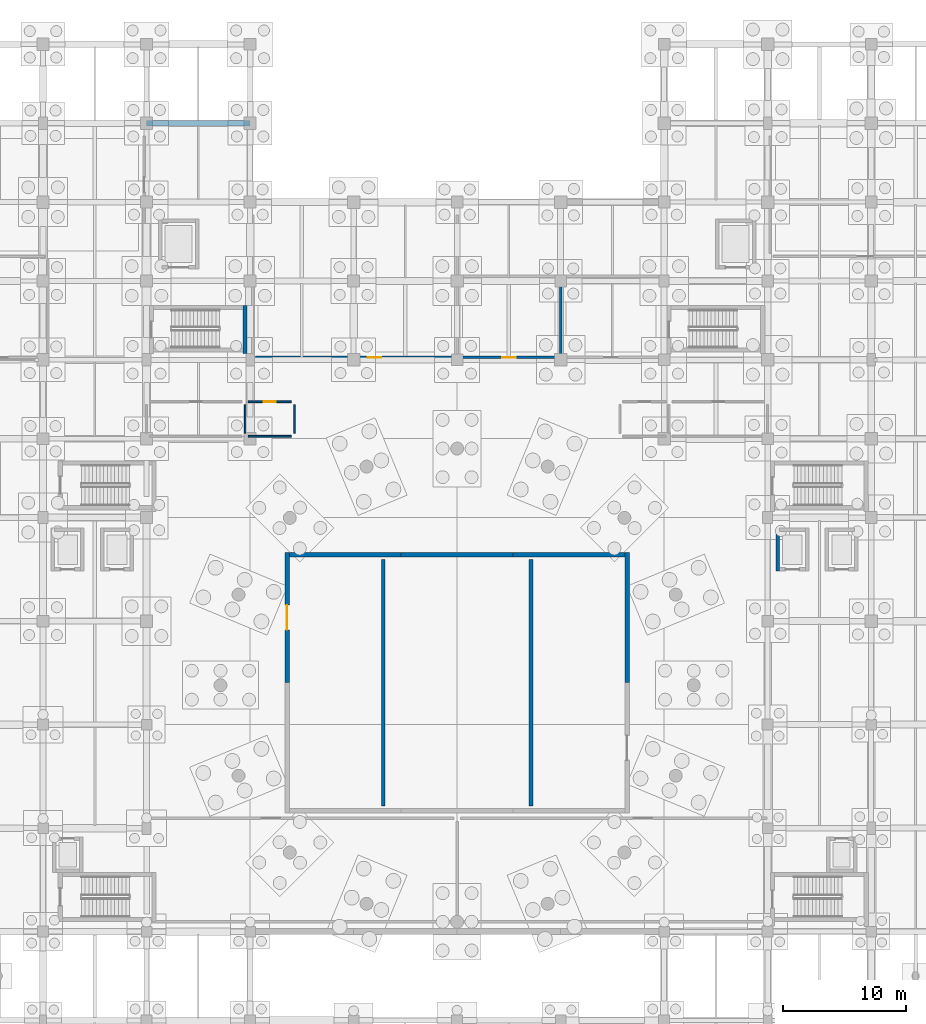
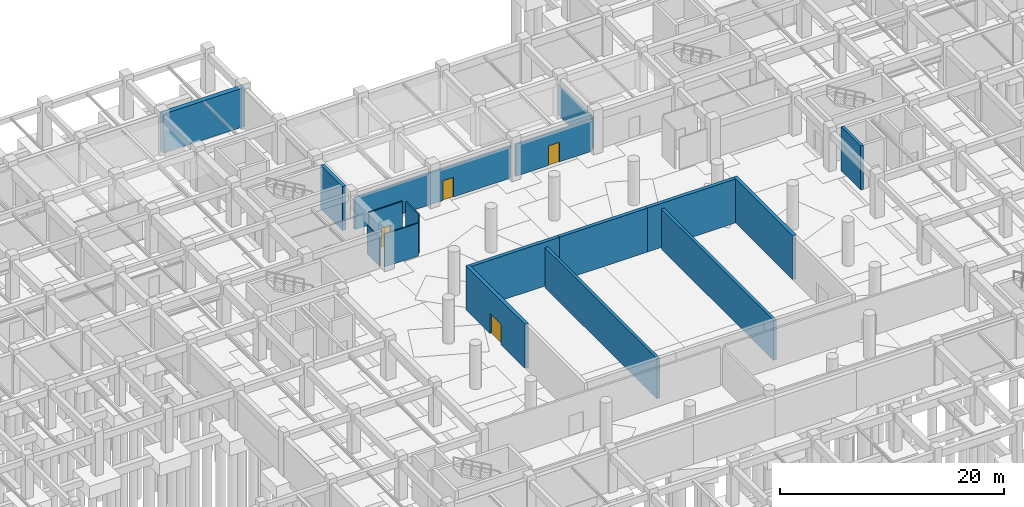
# One storey, part 33 of 44: 17 walls, 4 doors, 4 openings.
"""IFC4 building model written with IfcOpenShell, lengths in metres."""

from ifc_helpers import new_model, si_unit, direction, frame, frame_2d, origin, place, context, subcontext, project, spatial, rectangle, extrude, material, layer, layer_set, type_object, element, fill, save


model = new_model("IFC4")

# Units and contexts
model_context = context("Model", 3, precision=1e-05, world=origin(), true_north=direction((0.0, 1.0)))
body_context = subcontext(model_context, "Body", "Model", "MODEL_VIEW")
ifc_project = project(units=[si_unit("LENGTHUNIT", "METRE"), si_unit("AREAUNIT", "SQUARE_METRE"), si_unit("VOLUMEUNIT", "CUBIC_METRE"), si_unit("PLANEANGLEUNIT", "RADIAN"), si_unit("MASSUNIT", "GRAM", prefix="KILO")], contexts=[model_context])

# Site, building, storey
site_placement = place(None, origin())
site = spatial("IfcSite", under=ifc_project, at=site_placement, CompositionType="ELEMENT")
building_placement = place(site_placement, origin())
building = spatial("IfcBuilding", under=site, at=building_placement, Name="Korsvaeld Concert Hall", CompositionType="ELEMENT")
storey_placement = place(building_placement, frame((0.0, 0.0, -4.800048828125)))
storey = spatial("IfcBuildingStorey", under=building, at=storey_placement, Name="B1", CompositionType="ELEMENT", Elevation=-4.800048828125)

# Walls
ifc_material_1 = material(Name="Concrete C35/45", Category="concrete")
ifc_layer_1 = layer(ifc_material_1, 0.47998046875)
ifc_layer_set_1 = layer_set([ifc_layer_1], Name="Concrete C35/45")
wall_type_1 = type_object("IfcWallType", Name="WL-B1-RET-480", PredefinedType="SOLIDWALL", material=ifc_layer_set_1)
wall_1_placement = place(storey_placement, frame((58.800048828125, 108.800048828125, 0.0), z_axis=(0.0, 0.0, 1.0), x_axis=(1.0, 0.0, 0.0)))
element("IfcWall", 1, at=wall_1_placement, inside=storey, type_object=wall_type_1, Name="Exterior sandstone wall B1-028", PredefinedType="SOLIDWALL", context=body_context, shape_type="SweptSolid", body=[
    extrude(rectangle(XDim=8.39990234375, YDim=0.47998046875, at=frame_2d((4.199951171875, 0.0))), origin(), (0.0, 0.0, 1.0), 4.25),
])
ifc_material_2 = material(Name="Concrete C40/50", Category="concrete")
ifc_layer_2 = layer(ifc_material_2, 0.340087890625)
ifc_layer_set_2 = layer_set([ifc_layer_2], Name="Concrete C40/50")
wall_type_2 = type_object("IfcWallType", Name="WL-CORE-340", PredefinedType="SHEAR", material=ifc_layer_set_2)
wall_2_placement = place(storey_placement, frame((66.800048828125, 90.10009765625, 0.0), z_axis=(0.0, 0.0, 1.0), x_axis=(0.0, 1.0, 0.0)))
element("IfcWall", 2, at=wall_2_placement, inside=storey, type_object=wall_type_2, Name="Core K5 shear wall B1 E", PredefinedType="SHEAR", context=body_context, shape_type="SweptSolid", body=[
    extrude(rectangle(XDim=3.909912109375, YDim=0.340087890625, at=frame_2d((1.955078125, 0.0))), origin(), (0.0, 0.0, 1.0), 4.800048828125),
])

# Wall, opening, door
ifc_material_3 = material(Name="Double acoustic gypsum fire compartment wall")
ifc_layer_3 = layer(ifc_material_3, 0.199951171875)
ifc_layer_set_3 = layer_set([ifc_layer_3], Name="Double acoustic gypsum fire compartment wall")
wall_type_3 = type_object("IfcWallType", Name="WL-FIRE-200", PredefinedType="PARTITIONING", material=ifc_layer_set_3)
wall_3_placement = place(storey_placement, frame((67.659912109375, 89.800048828125, 0.0), z_axis=(0.0, 0.0, 1.0), x_axis=(1.0, 0.0, 0.0)))
wall_3 = element("IfcWall", 3, at=wall_3_placement, inside=storey, type_object=wall_type_3, Name="Interior partition B1-08 S", PredefinedType="PARTITIONING", context=body_context, shape_type="SweptSolid", body=[
    extrude(rectangle(XDim=16.080078125, YDim=0.199951171875, at=frame_2d((8.0400390625, 0.0))), origin(), (0.0, 0.0, 1.0), 3.47509765625),
])
opening_1_placement = place(wall_3_placement, frame((9.090087890625, 0.0, 0.0)))
opening_1 = element("IfcOpeningElement", 4, at=opening_1_placement, cuts=wall_3, Name="Opening FD-05", PredefinedType="OPENING", context=body_context, shape_type="SweptSolid", body=[
    extrude(rectangle(XDim=1.10009765625, YDim=2.14990234375, at=frame_2d((0.550048828125, 1.074951171875))), frame((0.0, 0.10986328125, 0.0), z_axis=(0.0, -1.0, 0.0), x_axis=(1.0, 0.0, 0.0)), (0.0, 0.0, 1.0), 0.219970703125),
])
ifc_material_4 = material(Name="Oak fire-compartment door")
door_type_1 = type_object("IfcDoorType", Name="DR-FD-COMP-110x215", OperationType="NOTDEFINED", PredefinedType="DOOR", material=ifc_material_4)
door_1_placement = place(opening_1_placement, origin())
door_1 = element("IfcDoor", 5, at=door_1_placement, inside=storey, type_object=door_type_1, Name="Recording Studio Live Room door B1-08", OperationType="SINGLE_SWING_LEFT", OverallHeight=2.14990234375, OverallWidth=1.10009765625, PredefinedType="DOOR", context=body_context, shape_type="SweptSolid", body=[
    extrude(rectangle(XDim=1.10009765625, YDim=2.14990234375, at=frame_2d((0.550048828125, 1.074951171875))), frame((0.0, 0.02490234375, 0.0), z_axis=(0.0, -1.0, 0.0), x_axis=(1.0, 0.0, 0.0)), (0.0, 0.0, 1.0), 0.050048828125),
])
fill(opening_1, door_1)

wall_4_placement = place(storey_placement, frame((84.260009765625, 89.800048828125, 0.0), z_axis=(0.0, 0.0, 1.0), x_axis=(1.0, 0.0, 0.0)))
wall_4 = element("IfcWall", 6, at=wall_4_placement, inside=storey, type_object=wall_type_3, Name="Interior partition B1-09 S", PredefinedType="PARTITIONING", context=body_context, shape_type="SweptSolid", body=[
    extrude(rectangle(XDim=7.8798828125, YDim=0.199951171875, at=frame_2d((3.93994140625, 0.0))), origin(), (0.0, 0.0, 1.0), 3.47509765625),
])
opening_2_placement = place(wall_4_placement, frame((3.389892578125, 0.0, 0.0)))
opening_2 = element("IfcOpeningElement", 7, at=opening_2_placement, cuts=wall_4, Name="Opening FD-05", PredefinedType="OPENING", context=body_context, shape_type="SweptSolid", body=[
    extrude(rectangle(XDim=1.10009765625, YDim=2.14990234375, at=frame_2d((0.550048828125, 1.074951171875))), frame((0.0, 0.10986328125, 0.0), z_axis=(0.0, -1.0, 0.0), x_axis=(1.0, 0.0, 0.0)), (0.0, 0.0, 1.0), 0.219970703125),
])
door_2_placement = place(opening_2_placement, origin())
door_2 = element("IfcDoor", 8, at=door_2_placement, inside=storey, type_object=door_type_1, Name="Recording Control Room door B1-09", OperationType="SINGLE_SWING_RIGHT", OverallHeight=2.14990234375, OverallWidth=1.10009765625, PredefinedType="DOOR", context=body_context, shape_type="SweptSolid", body=[
    extrude(rectangle(XDim=1.10009765625, YDim=2.14990234375, at=frame_2d((0.550048828125, 1.074951171875))), frame((0.0, 0.02490234375, 0.0), z_axis=(0.0, -1.0, 0.0), x_axis=(1.0, 0.0, 0.0)), (0.0, 0.0, 1.0), 0.050048828125),
])
fill(opening_2, door_2)

# Walls
wall_5_placement = place(storey_placement, frame((92.39990234375, 90.06005859375, 0.0), z_axis=(0.0, 0.0, 1.0), x_axis=(0.0, 1.0, 0.0)))
element("IfcWall", 9, at=wall_5_placement, inside=storey, type_object=wall_type_3, Name="Interior partition B1-09 E", PredefinedType="PARTITIONING", context=body_context, shape_type="SweptSolid", body=[
    extrude(rectangle(XDim=6.079833984375, YDim=0.199951171875, at=frame_2d((3.0400390625, 0.0))), origin(), (0.0, 0.0, 1.0), 3.375),
])
ifc_material_5 = material(Name="Bornholm Nexo crimson sandstone on Concrete C40/50", Category="masonry")
ifc_layer_4 = layer(ifc_material_5, 0.360107421875)
ifc_layer_set_4 = layer_set([ifc_layer_4], Name="Bornholm Nexo crimson sandstone on Concrete C40/50")
wall_type_4 = type_object("IfcWallType", Name="WL-HALL-360", PredefinedType="SHEAR", material=ifc_layer_set_4)
wall_6_placement = place(storey_placement, frame((97.800048828125, 63.39990234375, 0.0), z_axis=(0.0, 0.0, 1.0), x_axis=(0.0, 1.0, 0.0)))
element("IfcWall", 10, at=wall_6_placement, inside=storey, type_object=wall_type_4, Name="Acoustic hall box wall V1H B1 E.2", PredefinedType="SHEAR", context=body_context, shape_type="SweptSolid", body=[
    extrude(rectangle(XDim=10.580078125, YDim=0.360107421875, at=frame_2d((5.2900390625, 0.0))), origin(), (0.0, 0.0, 1.0), 4.800048828125),
])
for number, where, z_axis, x_axis, name in (
    (11, (97.6201171875, 73.800048828125, 0.0), (0.0, 0.0, 1.0), (-1.0, 0.0, 0.0), "Acoustic hall box wall V1H B1 N.1"),
    (12, (88.5400390625, 73.800048828125, 0.0), (0.0, 0.0, 1.0), (-1.0, 0.0, 0.0), "Acoustic hall box wall V1H B1 N.2"),
    (13, (79.4599609375, 73.800048828125, 0.0), (0.0, 0.0, 1.0), (-1.0, 0.0, 0.0), "Acoustic hall box wall V1H B1 N.3"),
):
    element("IfcWall", number, at=place(storey_placement, frame(where, z_axis=z_axis, x_axis=x_axis)), inside=storey, type_object=wall_type_4, Name=name, PredefinedType="SHEAR", context=body_context, shape_type="SweptSolid", body=[
        extrude(rectangle(XDim=9.080078125, YDim=0.360107421875, at=frame_2d((4.5400390625, 0.0))), origin(), (0.0, 0.0, 1.0), 4.800048828125),
    ])

# Wall, opening, door
wall_7_placement = place(storey_placement, frame((70.199951171875, 73.97998046875, 0.0), z_axis=(0.0, 0.0, 1.0), x_axis=(0.0, -1.0, 0.0)))
wall_7 = element("IfcWall", 14, at=wall_7_placement, inside=storey, type_object=wall_type_4, Name="Acoustic hall box wall V1H B1 W.1", PredefinedType="SHEAR", context=body_context, shape_type="SweptSolid", body=[
    extrude(rectangle(XDim=10.580078125, YDim=0.360107421875, at=frame_2d((5.2900390625, 0.0))), origin(), (0.0, 0.0, 1.0), 4.800048828125),
])
opening_3_placement = place(wall_7_placement, frame((4.2900390625, 0.0, 0.0)))
opening_3 = element("IfcOpeningElement", 15, at=opening_3_placement, cuts=wall_7, Name="Opening FD-04", PredefinedType="OPENING", context=body_context, shape_type="SweptSolid", body=[
    extrude(rectangle(XDim=2.0, YDim=2.25, at=frame_2d((1.0, 1.125))), frame((0.0, 0.18994140625, 0.0), z_axis=(0.0, -1.0, 0.0), x_axis=(1.0, 0.0, 0.0)), (0.0, 0.0, 1.0), 0.380126953125),
])
ifc_material_6 = material(Name="Double acoustic oak sound-lock fire door")
door_type_2 = type_object("IfcDoorType", Name="DR-FD-HALL-200x225", OperationType="DOUBLE_DOOR_SINGLE_SWING", PredefinedType="DOOR", material=ifc_material_6)
door_3_placement = place(opening_3_placement, frame((2.0, 0.0, 0.0), z_axis=(0.0, 0.0, 1.0), x_axis=(-1.0, 0.0, 0.0)))
door_3 = element("IfcDoor", 16, at=door_3_placement, inside=storey, type_object=door_type_2, Name="Auditorium sound-lock fire door V1H B1 W.1", OperationType="DOUBLE_DOOR_SINGLE_SWING", OverallHeight=2.25, OverallWidth=2.0, PredefinedType="DOOR", context=body_context, shape_type="SweptSolid", body=[
    extrude(rectangle(XDim=2.0, YDim=2.25, at=frame_2d((1.0, 1.125))), frame((0.0, 0.02490234375, 0.0), z_axis=(0.0, -1.0, 0.0), x_axis=(1.0, 0.0, 0.0)), (0.0, 0.0, 1.0), 0.050048828125),
])
fill(opening_3, door_3)

# Walls
ifc_material_7 = material(Name="Insulated acoustic gypsum partition")
ifc_layer_5 = layer(ifc_material_7, 0.125)
ifc_layer_set_5 = layer_set([ifc_layer_5], Name="Insulated acoustic gypsum partition")
wall_type_5 = type_object("IfcWallType", Name="WL-PART-125", PredefinedType="PARTITIONING", material=ifc_layer_set_5)
wall_8_placement = place(storey_placement, frame((66.800048828125, 83.659912109375, 0.0), z_axis=(0.0, 0.0, 1.0), x_axis=(0.0, 1.0, 0.0)))
element("IfcWall", 17, at=wall_8_placement, inside=storey, type_object=wall_type_5, Name="Interior partition B1-20 E", PredefinedType="PARTITIONING", context=body_context, shape_type="SweptSolid", body=[
    extrude(rectangle(XDim=2.280029296875, YDim=0.125, at=frame_2d((1.14013671875, 0.0))), origin(), (0.0, 0.0, 1.0), 3.074951171875),
])
wall_9_placement = place(storey_placement, frame((67.06005859375, 83.39990234375, 0.0), z_axis=(0.0, 0.0, 1.0), x_axis=(1.0, 0.0, 0.0)))
element("IfcWall", 18, at=wall_9_placement, inside=storey, type_object=wall_type_5, Name="Interior partition B1-21 S", PredefinedType="PARTITIONING", context=body_context, shape_type="SweptSolid", body=[
    extrude(rectangle(XDim=3.47998046875, YDim=0.125, at=frame_2d((1.739990234375, 0.0))), origin(), (0.0, 0.0, 1.0), 3.574951171875),
])
wall_10_placement = place(storey_placement, frame((70.800048828125, 83.659912109375, 0.0), z_axis=(0.0, 0.0, 1.0), x_axis=(0.0, 1.0, 0.0)))
element("IfcWall", 19, at=wall_10_placement, inside=storey, type_object=wall_type_5, Name="Interior partition B1-21 E", PredefinedType="PARTITIONING", context=body_context, shape_type="SweptSolid", body=[
    extrude(rectangle(XDim=2.280029296875, YDim=0.125, at=frame_2d((1.14013671875, 0.0))), origin(), (0.0, 0.0, 1.0), 4.25),
])

# Wall, opening, door
wall_11_placement = place(storey_placement, frame((70.5400390625, 86.199951171875, 0.0), z_axis=(0.0, 0.0, 1.0), x_axis=(-1.0, 0.0, 0.0)))
wall_11 = element("IfcWall", 20, at=wall_11_placement, inside=storey, type_object=wall_type_5, Name="Interior partition B1-21 N", PredefinedType="PARTITIONING", context=body_context, shape_type="SweptSolid", body=[
    extrude(rectangle(XDim=3.47998046875, YDim=0.125, at=frame_2d((1.739990234375, 0.0))), origin(), (0.0, 0.0, 1.0), 4.25),
])
opening_4_placement = place(wall_11_placement, frame((1.27001953125, 0.0, 0.0)))
opening_4 = element("IfcOpeningElement", 21, at=opening_4_placement, cuts=wall_11, Name="Opening ID-05", PredefinedType="OPENING", context=body_context, shape_type="SweptSolid", body=[
    extrude(rectangle(XDim=0.93994140625, YDim=2.10009765625, at=frame_2d((0.469970703125, 1.050048828125))), frame((0.0, 0.072509765625, 0.0), z_axis=(0.0, -1.0, 0.0), x_axis=(1.0, 0.0, 0.0)), (0.0, 0.0, 1.0), 0.14501953125),
])
ifc_material_8 = material(Name="Accessible washroom oak door")
door_type_3 = type_object("IfcDoorType", Name="DR-INT-WC-094x210", OperationType="NOTDEFINED", PredefinedType="DOOR", material=ifc_material_8)
door_4_placement = place(opening_4_placement, origin())
door_4 = element("IfcDoor", 22, at=door_4_placement, inside=storey, type_object=door_type_3, Name="Accessible WC B1 West door B1-21", OperationType="SINGLE_SWING_RIGHT", OverallHeight=2.10009765625, OverallWidth=0.93994140625, PredefinedType="DOOR", context=body_context, shape_type="SweptSolid", body=[
    extrude(rectangle(XDim=0.93994140625, YDim=2.10009765625, at=frame_2d((0.469970703125, 1.050048828125))), frame((0.0, 0.02490234375, 0.0), z_axis=(0.0, -1.0, 0.0), x_axis=(1.0, 0.0, 0.0)), (0.0, 0.0, 1.0), 0.050048828125),
])
fill(opening_4, door_4)

# Walls
ifc_layer_6 = layer(ifc_material_2, 0.280029296875)
ifc_layer_set_6 = layer_set([ifc_layer_6], Name="Concrete C40/50")
wall_type_6 = type_object("IfcWallType", Name="WL-SHAFT-280", PredefinedType="SHEAR", material=ifc_layer_set_6)
wall_12_placement = place(storey_placement, frame((110.0, 75.93994140625, 0.0), z_axis=(0.0, 0.0, 1.0), x_axis=(0.0, -1.0, 0.0)))
element("IfcWall", 23, at=wall_12_placement, inside=storey, type_object=wall_type_6, Name="Lift LP-03 shaft wall B1 W", PredefinedType="SHEAR", context=body_context, shape_type="SweptSolid", body=[
    extrude(rectangle(XDim=3.47998046875, YDim=0.280029296875, at=frame_2d((1.739990234375, 0.0))), origin(), (0.0, 0.0, 1.0), 4.800048828125),
])
ifc_layer_7 = layer(ifc_material_2, 0.300048828125)
ifc_layer_set_7 = layer_set([ifc_layer_7], Name="Concrete C40/50")
wall_type_7 = type_object("IfcWallType", Name="WL-TIER-300", PredefinedType="SHEAR", material=ifc_layer_set_7)
for number, where, z_axis, x_axis, name in (
    (24, (78.0, 53.39990234375, 0.0), (0.0, 0.0, 1.0), (0.0, 1.0, 0.0), "Understage concrete spine wall W"),
    (25, (90.0, 53.39990234375, 0.0), (0.0, 0.0, 1.0), (0.0, 1.0, 0.0), "Understage concrete spine wall E"),
):
    element("IfcWall", number, at=place(storey_placement, frame(where, z_axis=z_axis, x_axis=x_axis)), inside=storey, type_object=wall_type_7, Name=name, PredefinedType="SHEAR", context=body_context, shape_type="SweptSolid", body=[
        extrude(rectangle(XDim=20.0, YDim=0.300048828125, at=frame_2d((10.0, 0.0))), origin(), (0.0, 0.0, 1.0), 4.380126953125),
    ])

save(model, "model.ifc")
